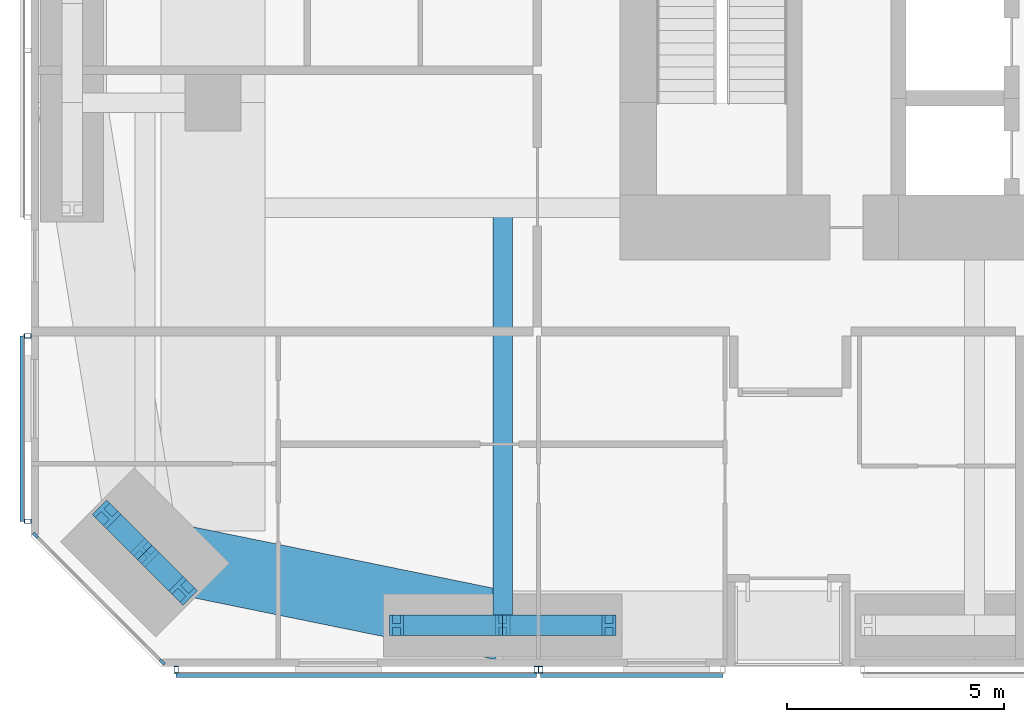
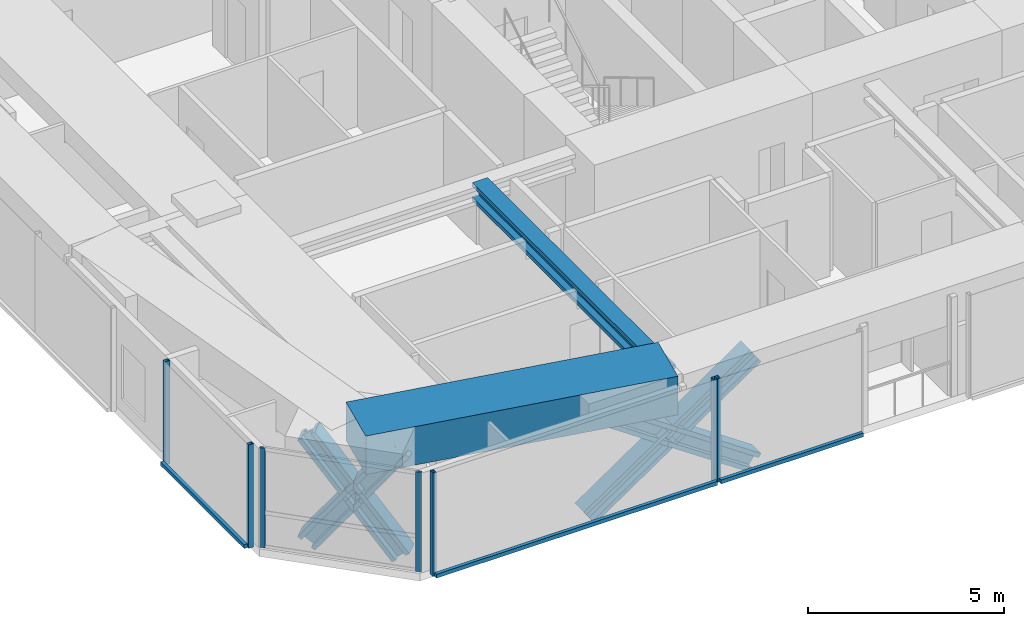
# One storey, part 2 of 25: 18 members, 2 beams, 4 elements without a shape of their own.
"""IFC4 building model written with IfcOpenShell, lengths in metres."""

from ifc_helpers import new_model, si_unit, direction, frame, origin, origin_2d, place, context, subcontext, project, spatial, rectangle, hollow_rectangle, i_section, extrude, material, material_profile, profile_set, type_object, element, aggregate, save


model = new_model("IFC4")

# Units and contexts
model_context = context("Model", 3, precision=1e-05, world=origin(), true_north=direction((0.0, 1.0)))
body_context = subcontext(model_context, "Body", "Model", "MODEL_VIEW")
ifc_project = project(units=[si_unit("LENGTHUNIT", "METRE"), si_unit("AREAUNIT", "SQUARE_METRE"), si_unit("VOLUMEUNIT", "CUBIC_METRE"), si_unit("PLANEANGLEUNIT", "RADIAN"), si_unit("MASSUNIT", "GRAM", prefix="KILO")], contexts=[model_context])

# Site, building, storey
site_placement = place(None, origin())
site = spatial("IfcSite", under=ifc_project, at=site_placement, CompositionType="ELEMENT")
building_placement = place(site_placement, origin())
building = spatial("IfcBuilding", under=site, at=building_placement, Name="Jalousie Tower", CompositionType="ELEMENT")
storey_placement = place(building_placement, frame((0.0, 0.0, 94.800048828125)))
storey = spatial("IfcBuildingStorey", under=building, at=storey_placement, Name="L25", CompositionType="ELEMENT", Elevation=94.800048828125)

# Curtain wall, members
ifc_material_1 = material(Name="Aluminium curtain wall", Category="aluminium")
curtain_wall_type_1 = type_object("IfcCurtainWallType", Name="CORNER WINDOW WALL", PredefinedType="USERDEFINED", material=ifc_material_1)
curtain_wall_1_placement = place(storey_placement, origin())
curtain_wall_1 = element("IfcCurtainWall", 1, at=curtain_wall_1_placement, inside=storey, type_object=curtain_wall_type_1, Name="Corner Window Wall L25 8", ObjectType="CORNER WINDOW WALL", PredefinedType="USERDEFINED")
ifc_material_2 = material(Name="Aluminium mullion", Category="aluminium")
ifc_material_profile_1 = material_profile(ifc_material_2, rectangle(XDim=0.06005859375, YDim=0.14990234375, at=origin_2d()), Name="MULLION 60x150")
ifc_profile_set_1 = profile_set([ifc_material_profile_1], Name="Aluminium mullion")
member_type_1 = type_object("IfcMemberType", Name="CORNER WINDOW WALL MULLION", PredefinedType="MULLION", material=ifc_profile_set_1)
member_1_placement = place(storey_placement, frame((6.108642578125, 3.030029296875, 0.0), z_axis=(0.0, 0.0, 1.0), x_axis=(0.707106781187, 0.707106781187, 0.0)))
member_1 = element("IfcMember", 2, at=member_1_placement, type_object=member_type_1, Name="CW-C mullion 1", PredefinedType="MULLION", context=body_context, shape_type="SweptSolid", body=[
    extrude(rectangle(XDim=0.06005859375, YDim=0.14990234375, at=origin_2d()), origin(), (0.0, 0.0, 1.0), 3.10986328125),
])
member_2_placement = place(storey_placement, frame((9.030029296875, 0.108642578125, 0.0), z_axis=(0.0, 0.0, 1.0), x_axis=(0.707106781187, 0.707106781187, 0.0)))
member_2 = element("IfcMember", 3, at=member_2_placement, type_object=member_type_1, Name="CW-C mullion 2", PredefinedType="MULLION", context=body_context, shape_type="SweptSolid", body=[
    extrude(rectangle(XDim=0.06005859375, YDim=0.14990234375, at=origin_2d()), origin(), (0.0, 0.0, 1.0), 3.10986328125),
])
aggregate(curtain_wall_1, [member_1, member_2])

# Beam
ifc_material_3 = material(Name="Steel ASTM A992 Grade 50", Category="steel")
ifc_material_profile_2 = material_profile(ifc_material_3, i_section(OverallWidth=0.45458984375, OverallDepth=0.569091796875, WebThickness=0.077880859375, FlangeThickness=0.124755859375, at=origin_2d()), Name="W14X730")
ifc_profile_set_2 = profile_set([ifc_material_profile_2], Name="Steel ASTM A992 Grade 50")
beam_type_1 = type_object("IfcBeamType", Name="LEAN COLLECTOR W14X730", PredefinedType="BEAM", material=ifc_profile_set_2)
beam_1_placement = place(storey_placement, frame((16.875, 0.949951171875, 2.825439453125), z_axis=(0.0, 1.0, 0.0), x_axis=(-1.0, 0.0, 0.0)))
element("IfcBeam", 4, at=beam_1_placement, inside=storey, type_object=beam_type_1, Name="Lean collector under L26", PredefinedType="BEAM", context=body_context, shape_type="SweptSolid", body=[
    extrude(i_section(OverallWidth=0.45458984375, OverallDepth=0.569091796875, WebThickness=0.077880859375, FlangeThickness=0.124755859375, at=origin_2d()), origin(), (0.0, 0.0, 1.0), 9.625),
])

# Members
ifc_material_4 = material(Name="Steel ASTM A992 Grade 50", Category="steel")
ifc_material_profile_3 = material_profile(ifc_material_4, i_section(OverallWidth=0.472412109375, OverallDepth=0.5791015625, WebThickness=0.094970703125, FlangeThickness=0.1298828125, at=origin_2d()), Name="W14X808")
ifc_profile_set_3 = profile_set([ifc_material_profile_3], Name="Steel ASTM A992 Grade 50")
member_type_2 = type_object("IfcMemberType", Name="PERIMETER BRACE W14X808", PredefinedType="BRACE", material=ifc_profile_set_3)
for number, where, z_axis, x_axis, name in (
    (5, (7.74755859375, 3.515380859375, -0.60009765625), (0.422851718556, -0.422968528423, 0.801432497518), (0.707204427637, 0.70700912125, 0.0), "Perimeter brace 01 L25 part 1"),
    (6, (8.63134765625, 2.63134765625, 1.074951171875), (0.422968528423, -0.422851718556, 0.801432497518), (0.70700912125, 0.707204427637, 0.0), "Perimeter brace 01 L25 part 2"),
    (7, (9.515380859375, 1.74755859375, -0.60009765625), (-0.422968528423, 0.422851718556, 0.801432497518), (-0.70700912125, -0.707204427637, 0.0), "Perimeter brace 01 L25 part 3"),
    (8, (8.63134765625, 2.63134765625, 1.074951171875), (-0.422851718556, 0.422968528423, 0.801432497518), (-0.707204427637, -0.70700912125, 0.0), "Perimeter brace 01 L25 part 4"),
):
    element("IfcMember", number, at=place(storey_placement, frame(where, z_axis=z_axis, x_axis=x_axis)), inside=storey, type_object=member_type_2, Name=name, PredefinedType="BRACE", context=body_context, shape_type="SweptSolid", body=[
        extrude(i_section(OverallWidth=0.472412109375, OverallDepth=0.5791015625, WebThickness=0.094970703125, FlangeThickness=0.1298828125, at=origin_2d()), origin(), (0.0, 0.0, 1.0), 2.090087890625),
    ])
for number, where, z_axis, x_axis, name in (
    (9, (14.425048828125, 0.949951171875, -0.60009765625), (0.825500916831, 0.0, 0.564400776321), (0.0, 1.0, 0.0), "Perimeter brace 02 L25 part 1"),
    (10, (16.875, 0.949951171875, 1.074951171875), (0.825500916831, 0.0, 0.564400776321), (0.0, 1.0, 0.0), "Perimeter brace 02 L25 part 2"),
    (11, (19.324951171875, 0.949951171875, -0.60009765625), (-0.825500916831, 0.0, 0.564400776321), (0.0, -1.0, 0.0), "Perimeter brace 02 L25 part 3"),
    (12, (16.875, 0.949951171875, 1.074951171875), (-0.825500916831, 0.0, 0.564400776321), (0.0, -1.0, 0.0), "Perimeter brace 02 L25 part 4"),
):
    element("IfcMember", number, at=place(storey_placement, frame(where, z_axis=z_axis, x_axis=x_axis)), inside=storey, type_object=member_type_2, Name=name, PredefinedType="BRACE", context=body_context, shape_type="SweptSolid", body=[
        extrude(i_section(OverallWidth=0.472412109375, OverallDepth=0.5791015625, WebThickness=0.094970703125, FlangeThickness=0.1298828125, at=origin_2d()), origin(), (0.0, 0.0, 1.0), 2.9677734375),
    ])

# Beam
ifc_material_5 = material(Name="Concrete f'c 40 MPa", Category="concrete")
ifc_material_profile_4 = material_profile(ifc_material_5, rectangle(XDim=1.60009765625, YDim=1.199951171875, at=origin_2d()), Name="RC 1600x1200")
ifc_profile_set_4 = profile_set([ifc_material_profile_4], Name="Concrete f'c 40 MPa")
beam_type_2 = type_object("IfcBeamType", Name="RC BEAM 1600x1200", PredefinedType="BEAM", material=ifc_profile_set_4)
beam_2_placement = place(storey_placement, frame((8.63134765625, 2.63134765625, 2.75), z_axis=(0.97982690954, -0.199848010602, 0.0), x_axis=(0.199848010602, 0.97982690954, 0.0)))
element("IfcBeam", 13, at=beam_2_placement, inside=storey, type_object=beam_type_2, Name="Edge band beam 01-02 under L26", PredefinedType="BEAM", context=body_context, shape_type="SweptSolid", body=[
    extrude(rectangle(XDim=1.60009765625, YDim=1.199951171875, at=origin_2d()), origin(), (0.0, 0.0, 1.0), 8.413330078125),
])

# Curtain wall, members
ifc_material_6 = material(Name="Perforated aluminium sheet", Category="aluminium")
curtain_wall_type_2 = type_object("IfcCurtainWallType", Name="SOLAR SCREEN SS-1", PredefinedType="USERDEFINED", material=ifc_material_6)
curtain_wall_2_placement = place(storey_placement, origin())
curtain_wall_2 = element("IfcCurtainWall", 14, at=curtain_wall_2_placement, inside=storey, type_object=curtain_wall_type_2, Name="Solar screen L25", ObjectType="SOLAR SCREEN SS-1", PredefinedType="USERDEFINED")
ifc_material_7 = material(Name="Steel ASTM A500 Grade C", Category="steel")
ifc_material_profile_5 = material_profile(ifc_material_7, hollow_rectangle(XDim=0.1015625, YDim=0.15234375, WallThickness=0.00634765625, at=origin_2d()), Name="HSS6X4X1/4")
ifc_profile_set_5 = profile_set([ifc_material_profile_5], Name="Steel ASTM A500 Grade C")
member_type_3 = type_object("IfcMemberType", Name="SOLAR SCREEN SS-1 MULLION", PredefinedType="MULLION", material=ifc_profile_set_5)
member_3_placement = place(storey_placement, frame((9.351318359375, -0.0712890625, -0.1201171875), z_axis=(0.0, 0.0, 1.0), x_axis=(1.0, 0.0, 0.0)))
member_3 = element("IfcMember", 15, at=member_3_placement, type_object=member_type_3, Name="SS1 post 1", PredefinedType="MULLION", context=body_context, shape_type="SweptSolid", body=[
    extrude(hollow_rectangle(XDim=0.1015625, YDim=0.15234375, WallThickness=0.00634765625, at=origin_2d()), origin(), (0.0, 0.0, 1.0), 3.22998046875),
])
member_4_placement = place(storey_placement, frame((17.64990234375, -0.0712890625, -0.1201171875), z_axis=(0.0, 0.0, 1.0), x_axis=(1.0, 0.0, 0.0)))
member_4 = element("IfcMember", 16, at=member_4_placement, type_object=member_type_3, Name="SS1 post 2", PredefinedType="MULLION", context=body_context, shape_type="SweptSolid", body=[
    extrude(hollow_rectangle(XDim=0.1015625, YDim=0.15234375, WallThickness=0.00634765625, at=origin_2d()), origin(), (0.0, 0.0, 1.0), 3.22998046875),
])

# Curtain wall, member
curtain_wall_3_placement = place(storey_placement, origin())
curtain_wall_3 = element("IfcCurtainWall", 17, at=curtain_wall_3_placement, inside=storey, type_object=curtain_wall_type_2, Name="Solar screen L25", ObjectType="SOLAR SCREEN SS-1", PredefinedType="USERDEFINED")
member_5_placement = place(storey_placement, frame((17.75, -0.0712890625, -0.1201171875), z_axis=(0.0, 0.0, 1.0), x_axis=(1.0, 0.0, 0.0)))
member_5 = element("IfcMember", 18, at=member_5_placement, type_object=member_type_3, Name="SS1 post 1", PredefinedType="MULLION", context=body_context, shape_type="SweptSolid", body=[
    extrude(hollow_rectangle(XDim=0.1015625, YDim=0.15234375, WallThickness=0.00634765625, at=origin_2d()), origin(), (0.0, 0.0, 1.0), 3.22998046875),
])

# Curtain wall, members
curtain_wall_4_placement = place(storey_placement, origin())
curtain_wall_4 = element("IfcCurtainWall", 19, at=curtain_wall_4_placement, inside=storey, type_object=curtain_wall_type_2, Name="Solar screen L25", ObjectType="SOLAR SCREEN SS-1", PredefinedType="USERDEFINED")
member_6_placement = place(storey_placement, frame((5.9287109375, 7.625, -0.1201171875), z_axis=(0.0, 0.0, 1.0), x_axis=(0.0, -1.0, 0.0)))
member_6 = element("IfcMember", 20, at=member_6_placement, type_object=member_type_3, Name="SS1 post 1", PredefinedType="MULLION", context=body_context, shape_type="SweptSolid", body=[
    extrude(hollow_rectangle(XDim=0.1015625, YDim=0.15234375, WallThickness=0.00634765625, at=origin_2d()), origin(), (0.0, 0.0, 1.0), 3.22998046875),
])
member_7_placement = place(storey_placement, frame((5.9287109375, 3.351318359375, -0.1201171875), z_axis=(0.0, 0.0, 1.0), x_axis=(0.0, -1.0, 0.0)))
member_7 = element("IfcMember", 21, at=member_7_placement, type_object=member_type_3, Name="SS1 post 2", PredefinedType="MULLION", context=body_context, shape_type="SweptSolid", body=[
    extrude(hollow_rectangle(XDim=0.1015625, YDim=0.15234375, WallThickness=0.00634765625, at=origin_2d()), origin(), (0.0, 0.0, 1.0), 3.22998046875),
])

# Member
ifc_material_8 = material(Name="Extruded aluminium screen rail", Category="aluminium")
ifc_material_profile_6 = material_profile(ifc_material_8, rectangle(XDim=0.1015625, YDim=0.1201171875, at=origin_2d()), Name="RAIL 102x120")
ifc_profile_set_6 = profile_set([ifc_material_profile_6], Name="Extruded aluminium screen rail")
member_type_4 = type_object("IfcMemberType", Name="SOLAR SCREEN SS-1 TRANSOM", PredefinedType="USERDEFINED", material=ifc_profile_set_6)
member_8_placement = place(storey_placement, frame((9.351318359375, -0.1982421875, -0.06005859375), z_axis=(1.0, 0.0, 0.0), x_axis=(0.0, 1.0, 0.0)))
member_8 = element("IfcMember", 22, at=member_8_placement, type_object=member_type_4, Name="SS1 rail", ObjectType="TRANSOM", PredefinedType="USERDEFINED", context=body_context, shape_type="SweptSolid", body=[
    extrude(rectangle(XDim=0.1015625, YDim=0.1201171875, at=origin_2d()), origin(), (0.0, 0.0, 1.0), 8.298583984375),
])

aggregate(curtain_wall_2, [member_3, member_4, member_8])

member_9_placement = place(storey_placement, frame((17.75, -0.1982421875, -0.06005859375), z_axis=(1.0, 0.0, 0.0), x_axis=(0.0, 1.0, 0.0)))
member_9 = element("IfcMember", 23, at=member_9_placement, type_object=member_type_4, Name="SS1 rail", ObjectType="TRANSOM", PredefinedType="USERDEFINED", context=body_context, shape_type="SweptSolid", body=[
    extrude(rectangle(XDim=0.1015625, YDim=0.1201171875, at=origin_2d()), origin(), (0.0, 0.0, 1.0), 4.199951171875),
])

aggregate(curtain_wall_3, [member_5, member_9])

member_10_placement = place(storey_placement, frame((5.8017578125, 7.625, -0.06005859375), z_axis=(0.0, -1.0, 0.0), x_axis=(1.0, 0.0, 0.0)))
member_10 = element("IfcMember", 24, at=member_10_placement, type_object=member_type_4, Name="SS1 rail", ObjectType="TRANSOM", PredefinedType="USERDEFINED", context=body_context, shape_type="SweptSolid", body=[
    extrude(rectangle(XDim=0.1015625, YDim=0.1201171875, at=origin_2d()), origin(), (0.0, 0.0, 1.0), 4.273681640625),
])

aggregate(curtain_wall_4, [member_6, member_7, member_10])

save(model, "model.ifc")
